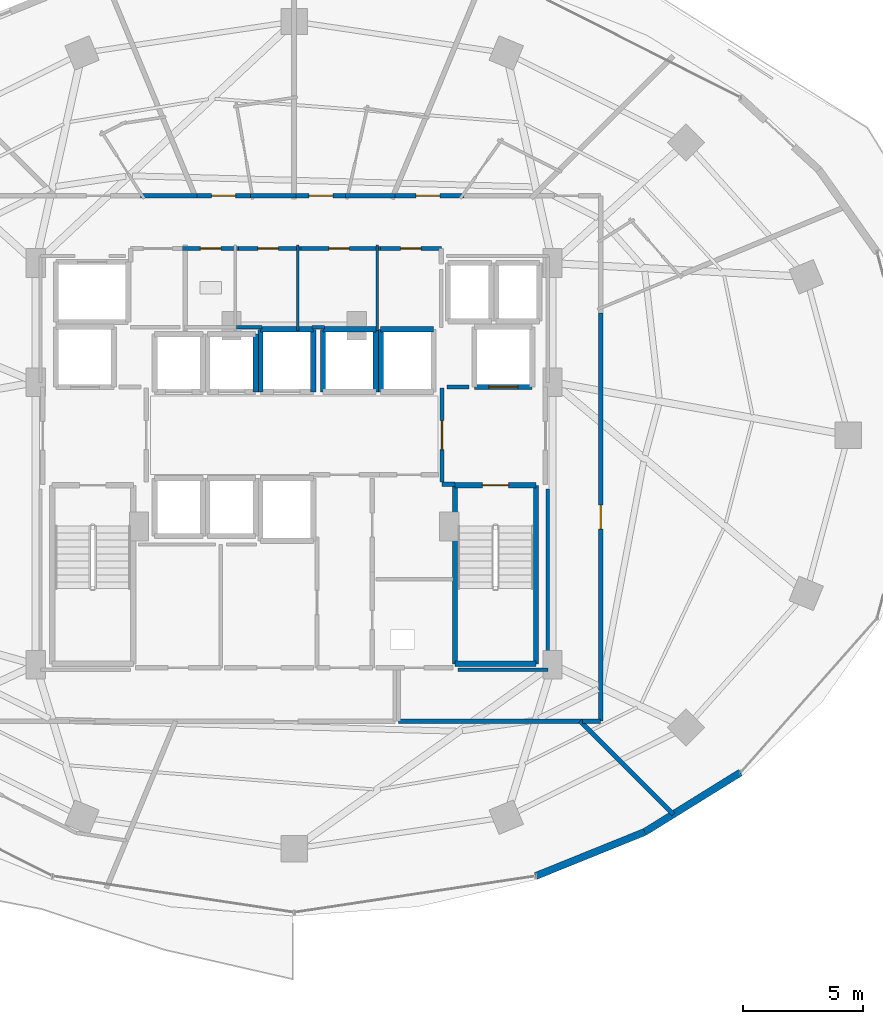
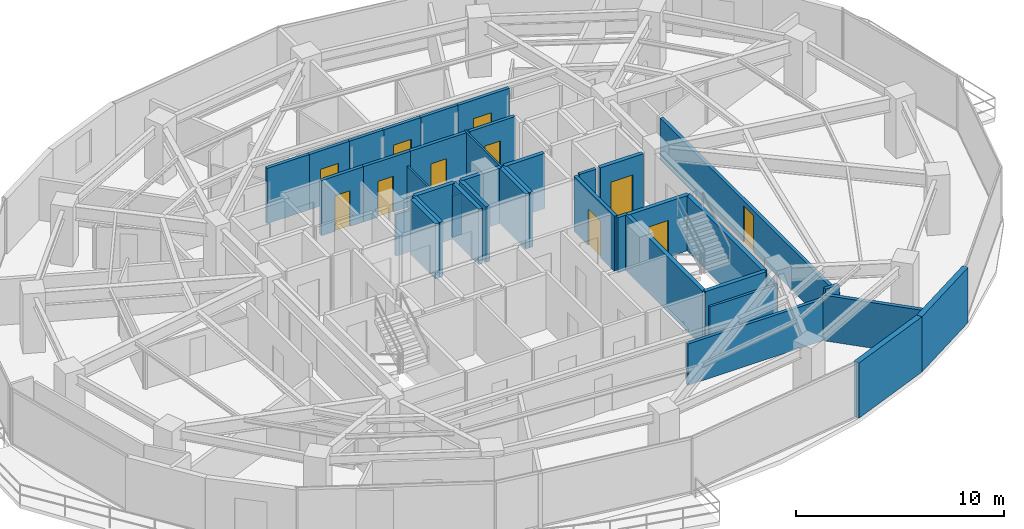
# One storey, part 26 of 31: 39 walls, 11 doors, 11 openings.
"""IFC4 building model written with IfcOpenShell, lengths in metres."""

import ifcopenshell
import ifcopenshell.guid

model = None  # the IFC model being written
_history = None  # IfcOwnerHistory: only IFC2X3 demands one
_inside = {}  # id of a spatial element -> (the spatial element, [elements in it])
_under = {}  # id of a project, library or spatial element -> (it, [spatial elements below it])
_declared = {}  # id of a project -> (the project, [libraries it declares])
_typed = {}  # id of a type object -> (the type object, [elements of that type])
_made_of = {}  # id of a material, layer set ... -> (it, [elements and type objects made of it])


def new_model(schema):
    """Start an empty IFC model of exactly this schema.

    Asked for "IFC4X3", IfcOpenShell would pick the latest addendum, in which some entities
    have other attributes; the version numbers below select the first issue.
    IFC2X3 requires an IfcOwnerHistory on every rooted entity: one is made here for all.
    """
    global model, _history
    if schema == "IFC4X3":
        model = ifcopenshell.file(schema_version=(4, 3, 0, 0))
    else:
        model = ifcopenshell.file(schema=schema)
    _inside.clear()
    _under.clear()
    _declared.clear()
    _typed.clear()
    _made_of.clear()
    _history = None
    if model.schema == "IFC2X3":
        org = make("IfcOrganization", Name="unknown")
        user = make(
            "IfcPersonAndOrganization",
            ThePerson=make("IfcPerson", FamilyName="unknown"),
            TheOrganization=org,
        )
        app = make(
            "IfcApplication",
            ApplicationDeveloper=org,
            Version="unknown",
            ApplicationFullName="unknown",
            ApplicationIdentifier="unknown",
        )
        _history = make(
            "IfcOwnerHistory",
            OwningUser=user,
            OwningApplication=app,
            ChangeAction="ADDED",
            CreationDate=0,
        )
    return model


def make(cls, **values):
    """One entity of the class cls with the attributes given. An attribute that is None is left unset."""
    return model.create_entity(
        cls, **{name: value for name, value in values.items() if value is not None}
    )


def rooted(cls, **values):
    """An entity with a GlobalId (a new one), such as an element, a storey or a relation."""
    return make(cls, GlobalId=ifcopenshell.guid.new(), OwnerHistory=_history, **values)


def si_unit(unit_type, name, prefix=None):
    """IfcSIUnit, for example si_unit("LENGTHUNIT", "METRE", prefix="MILLI")."""
    return make("IfcSIUnit", UnitType=unit_type, Prefix=prefix, Name=name)


def assignment(units):
    """IfcUnitAssignment: the units of a project."""
    return None if units is None else make("IfcUnitAssignment", Units=units)


def point(xyz):
    """IfcCartesianPoint."""
    return None if xyz is None else make("IfcCartesianPoint", Coordinates=xyz)


def direction(xyz):
    """IfcDirection."""
    return None if xyz is None else make("IfcDirection", DirectionRatios=xyz)


def frame(location, z_axis=None, x_axis=None):
    """IfcAxis2Placement3D, a coordinate frame: its origin and axes. An axis left out is left unset."""
    return make(
        "IfcAxis2Placement3D",
        Location=point(location),
        Axis=direction(z_axis),
        RefDirection=direction(x_axis),
    )


def frame_2d(location, x_axis=None):
    """IfcAxis2Placement2D, a coordinate frame in the plane: its origin and x axis."""
    return make(
        "IfcAxis2Placement2D", Location=point(location), RefDirection=direction(x_axis)
    )


def origin():
    """The frame at (0, 0, 0) with its axes left unset."""
    return frame((0.0, 0.0, 0.0))


def place(relative_to, where):
    """IfcLocalPlacement: puts the frame where relative to a parent placement (None: the world)."""
    return make(
        "IfcLocalPlacement", PlacementRelTo=relative_to, RelativePlacement=where
    )


def context(
    kind, dimensions, precision=None, world=None, true_north=None, identifier=None
):
    """IfcGeometricRepresentationContext, for example the 3D "Model" context."""
    return make(
        "IfcGeometricRepresentationContext",
        ContextIdentifier=identifier,
        ContextType=kind,
        CoordinateSpaceDimension=dimensions,
        Precision=precision,
        WorldCoordinateSystem=world,
        TrueNorth=true_north,
    )


def subcontext(parent, identifier, kind, view, scale=None):
    """IfcGeometricRepresentationSubContext, for example "Body" below "Model"."""
    return make(
        "IfcGeometricRepresentationSubContext",
        ContextIdentifier=identifier,
        ContextType=kind,
        ParentContext=parent,
        TargetScale=scale,
        TargetView=view,
    )


def project(units=None, contexts=None):
    """IfcProject with its units and contexts."""
    return rooted(
        "IfcProject",
        Name="project",
        RepresentationContexts=contexts,
        UnitsInContext=assignment(units),
    )


def spatial(cls, under=None, at=None, **own):
    """A site, building, storey or space (cls), placed at a placement, below another one or the project."""
    s = rooted(cls, ObjectPlacement=at, **own)
    if under is not None:
        _under.setdefault(under.id(), (under, []))[1].append(s)
    return s


def profile(cls, at=None, kind="AREA", **sizes):
    """A parametric profile (cls). Its sizes go by their IFC names, for example OverallWidth=200.0."""
    return make(cls, ProfileType=kind, Position=at, **sizes)


def rectangle(**sizes):
    """IfcRectangleProfileDef."""
    return profile("IfcRectangleProfileDef", **sizes)


def extrude(swept, where, along, depth):
    """IfcExtrudedAreaSolid: the profile swept, set in the frame where, extruded along a direction by depth."""
    return make(
        "IfcExtrudedAreaSolid",
        SweptArea=swept,
        Position=where,
        ExtrudedDirection=direction(along),
        Depth=depth,
    )


def shape(context_of_items, identifier, shape_type, items):
    """IfcShapeRepresentation: the items that make up one representation, for example the "Body"."""
    return make(
        "IfcShapeRepresentation",
        ContextOfItems=context_of_items,
        RepresentationIdentifier=identifier,
        RepresentationType=shape_type,
        Items=items,
    )


def material(Name=None, Category=None):
    """IfcMaterial."""
    return make("IfcMaterial", Name=Name, Category=Category)


def layer(
    of_material, thickness, ventilated=None, Name=None, Category=None, Priority=None
):
    """IfcMaterialLayer: one layer of a wall or slab, of a material (None: an air gap)."""
    return make(
        "IfcMaterialLayer",
        Material=of_material,
        LayerThickness=thickness,
        IsVentilated=ventilated,
        Name=Name,
        Category=Category,
        Priority=Priority,
    )


def layer_set(layers, Name=None):
    """IfcMaterialLayerSet."""
    return make("IfcMaterialLayerSet", MaterialLayers=layers, LayerSetName=Name)


def made_of(thing, what):
    """Note that an element or type object is made of a material, layer set ...; save() writes the relation."""
    if what is not None:
        _made_of.setdefault(what.id(), (what, []))[1].append(thing)
    return thing


def type_object(cls, material=None, **own):
    """A type object (cls), such as IfcWallType, which elements share."""
    return made_of(rooted(cls, **own), material)


def element(
    cls,
    number,
    at=None,
    inside=None,
    cuts=None,
    type_object=None,
    material=None,
    context=None,
    identifier="Body",
    shape_type=None,
    held_by="IfcProductDefinitionShape",
    body=None,
    shapes=None,
    **own,
):
    """One element of the class cls, such as IfcWall. Its Tag is "e" and its number.

    at: its placement. inside: the storey or other place that contains it. cuts: it is an
    opening in that element (IfcRelVoidsElement). A single representation is given by context,
    identifier, shape_type and body (its items); several are given by shapes. held_by: the class
    of the entity that holds the representations. save() writes the other relations.
    """
    e = rooted(cls, Tag="e%d" % number, ObjectPlacement=at, **own)
    if body is not None:
        shapes = [shape(context, identifier, shape_type, body)]
    if shapes is not None:
        e.Representation = make(held_by, Representations=shapes)
    if inside is not None:
        _inside.setdefault(inside.id(), (inside, []))[1].append(e)
    if cuts is not None:
        rooted(
            "IfcRelVoidsElement", RelatingBuildingElement=cuts, RelatedOpeningElement=e
        )
    if type_object is not None:
        _typed.setdefault(type_object.id(), (type_object, []))[1].append(e)
    return made_of(e, material)


def fill(opening, filler):
    """IfcRelFillsElement: the door or window that sits in an opening."""
    return rooted(
        "IfcRelFillsElement",
        RelatingOpeningElement=opening,
        RelatedBuildingElement=filler,
    )


def aggregate(whole, parts):
    """IfcRelAggregates: a whole, such as a stair, and the parts it consists of."""
    return rooted("IfcRelAggregates", RelatingObject=whole, RelatedObjects=parts)


def save(model, path):
    """Write the relations noted so far, then the file.

    IfcRelAggregates (storeys below a building ...), IfcRelContainedInSpatialStructure (elements
    in a storey), IfcRelDefinesByType, IfcRelAssociatesMaterial and IfcRelDeclares: one each for
    every whole, place, type object, material and project.
    """
    for whole, parts in _under.values():
        aggregate(whole, parts)
    for where, things in _inside.values():
        rooted(
            "IfcRelContainedInSpatialStructure",
            RelatedElements=things,
            RelatingStructure=where,
        )
    for kind, things in _typed.values():
        rooted("IfcRelDefinesByType", RelatedObjects=things, RelatingType=kind)
    for what, things in _made_of.values():
        rooted("IfcRelAssociatesMaterial", RelatedObjects=things, RelatingMaterial=what)
    for by, libraries in _declared.values():
        rooted("IfcRelDeclares", RelatingContext=by, RelatedDefinitions=libraries)
    model.write(path)


model = new_model("IFC4")

# Units and contexts
model_context = context("Model", 3, precision=1e-05, world=origin(), true_north=direction((0.0, 1.0)))
body_context = subcontext(model_context, "Body", "Model", "MODEL_VIEW")
ifc_project = project(units=[si_unit("LENGTHUNIT", "METRE"), si_unit("AREAUNIT", "SQUARE_METRE"), si_unit("VOLUMEUNIT", "CUBIC_METRE"), si_unit("PLANEANGLEUNIT", "RADIAN"), si_unit("MASSUNIT", "GRAM", prefix="KILO")], contexts=[model_context])

# Site, building, storey
site_placement = place(None, origin())
site = spatial("IfcSite", under=ifc_project, at=site_placement, CompositionType="ELEMENT")
building_placement = place(site_placement, origin())
building = spatial("IfcBuilding", under=site, at=building_placement, Name="Vorneva Point Tower", CompositionType="ELEMENT")
storey_placement = place(building_placement, frame((0.0, 0.0, 99.800048828125)))
storey = spatial("IfcBuildingStorey", under=building, at=storey_placement, Name="L26", CompositionType="ELEMENT", Elevation=99.800048828125)

# Wall, opening, door
ifc_material_1 = material(Name="Concrete B60 (C50/60)", Category="concrete")
ifc_layer_1 = layer(ifc_material_1, 0.5)
ifc_layer_set_1 = layer_set([ifc_layer_1], Name="Concrete B60 (C50/60)")
wall_type_1 = type_object("IfcWallType", Name="WL-CORE-500", PredefinedType="SHEAR", material=ifc_layer_set_1)
wall_1_placement = place(storey_placement, frame((45.5, 28.0, 0.0), z_axis=(0.0, 0.0, 1.0), x_axis=(1.0, 0.0, 0.0)))
wall_1 = element("IfcWall", 1, at=wall_1_placement, inside=storey, type_object=wall_type_1, Name="L26 Lift FFL2 Shaft Wall -Y", PredefinedType="SHEAR", context=body_context, shape_type="SweptSolid", body=[
    extrude(rectangle(XDim=2.39990234375, YDim=0.219970703125, at=frame_2d((1.199951171875, 0.0))), origin(), (0.0, 0.0, 1.0), 3.239990234375),
])
opening_1_placement = place(wall_1_placement, frame((0.60009765625, 0.0, 0.0)))
opening_1 = element("IfcOpeningElement", 2, at=opening_1_placement, cuts=wall_1, Name="Opening LD-02", PredefinedType="OPENING", context=body_context, shape_type="SweptSolid", body=[
    extrude(rectangle(XDim=1.199951171875, YDim=2.199951171875, at=frame_2d((0.60009765625, 1.10009765625))), frame((0.0, 0.125, 0.0), z_axis=(0.0, -1.0, 0.0), x_axis=(1.0, 0.0, 0.0)), (0.0, 0.0, 1.0), 0.249755859375),
])
ifc_material_2 = material(Name="Brushed stainless steel S304", Category="steel")
door_type_1 = type_object("IfcDoorType", Name="LD-FIRE-1200", OperationType="SLIDING_TO_LEFT", PredefinedType="DOOR", material=ifc_material_2)
door_1_placement = place(opening_1_placement, origin())
door_1 = element("IfcDoor", 3, at=door_1_placement, inside=storey, type_object=door_type_1, Name="L26 Lift FFL2 Sliding Landing Door", OperationType="SLIDING_TO_LEFT", OverallHeight=2.199951171875, OverallWidth=1.199951171875, PredefinedType="DOOR", context=body_context, shape_type="SweptSolid", body=[
    extrude(rectangle(XDim=1.199951171875, YDim=2.199951171875, at=frame_2d((0.60009765625, 1.10009765625))), frame((0.0, 0.02490234375, 0.0), z_axis=(0.0, -1.0, 0.0), x_axis=(1.0, 0.0, 0.0)), (0.0, 0.0, 1.0), 0.050048828125),
])
fill(opening_1, door_1)

# Walls
ifc_material_3 = material(Name="Precast concrete B50 (C40/50)", Category="concrete")
ifc_layer_2 = layer(ifc_material_3, 0.300048828125)
ifc_layer_set_2 = layer_set([ifc_layer_2], Name="Precast concrete B50 (C40/50)")
wall_type_2 = type_object("IfcWallType", Name="WL-EXT-300", PredefinedType="STANDARD", material=ifc_layer_set_2)
wall_2_placement = place(storey_placement, frame((48.04541015625, 7.660888671875, 0.0), z_axis=(0.0, 0.0, 1.0), x_axis=(0.927122233109, 0.374759075775, 0.0)))
element("IfcWall", 4, at=wall_2_placement, inside=storey, type_object=wall_type_2, Name="L26 Pale-Metal Facade Spandrel Wall 14.1", PredefinedType="STANDARD", context=body_context, shape_type="SweptSolid", body=[
    extrude(rectangle(XDim=4.89501953125, YDim=0.300048828125, at=frame_2d((2.447509765625, 0.0))), origin(), (0.0, 0.0, 1.0), 3.239990234375),
])
wall_3_placement = place(storey_placement, frame((52.583740234375, 9.495361328125, 0.0), z_axis=(0.0, 0.0, 1.0), x_axis=(0.849684479743, 0.527291461038, 0.0)))
element("IfcWall", 5, at=wall_3_placement, inside=storey, type_object=wall_type_2, Name="L26 Pale-Metal Facade Spandrel Wall 14.2", PredefinedType="STANDARD", context=body_context, shape_type="SweptSolid", body=[
    extrude(rectangle(XDim=4.681396484375, YDim=0.300048828125, at=frame_2d((2.3408203125, 0.0))), origin(), (0.0, 0.0, 1.0), 3.239990234375),
])
ifc_material_4 = material(Name="Fire-rated acoustic gypsum stud partition", Category="gypsum")
ifc_layer_3 = layer(ifc_material_4, 0.110107421875)
ifc_layer_set_3 = layer_set([ifc_layer_3], Name="Fire-rated acoustic gypsum stud partition")
wall_type_3 = type_object("IfcWallType", Name="WL-PART-110", PredefinedType="PARTITIONING", material=ifc_layer_set_3)
wall_4_placement = place(storey_placement, frame((38.14990234375, 30.340087890625, 0.0), z_axis=(0.0, 0.0, 1.0), x_axis=(0.0, 1.0, 0.0)))
element("IfcWall", 6, at=wall_4_placement, inside=storey, type_object=wall_type_3, Name="L26 Interior Partition 019", PredefinedType="PARTITIONING", context=body_context, shape_type="SweptSolid", body=[
    extrude(rectangle(XDim=3.559814453125, YDim=0.110107421875, at=frame_2d((1.77978515625, 0.0))), origin(), (0.0, 0.0, 1.0), 2.431884765625),
])
wall_5_placement = place(storey_placement, frame((41.449951171875, 30.340087890625, 0.0), z_axis=(0.0, 0.0, 1.0), x_axis=(0.0, 1.0, 0.0)))
element("IfcWall", 7, at=wall_5_placement, inside=storey, type_object=wall_type_3, Name="L26 Interior Partition 021", PredefinedType="PARTITIONING", context=body_context, shape_type="SweptSolid", body=[
    extrude(rectangle(XDim=3.559814453125, YDim=0.110107421875, at=frame_2d((1.77978515625, 0.0))), origin(), (0.0, 0.0, 1.0), 3.239990234375),
])
ifc_layer_4 = layer(ifc_material_4, 0.139892578125)
ifc_layer_set_4 = layer_set([ifc_layer_4], Name="Fire-rated acoustic gypsum stud partition")
wall_type_4 = type_object("IfcWallType", Name="WL-PART-140", PredefinedType="PARTITIONING", material=ifc_layer_set_4)
wall_6_placement = place(storey_placement, frame((35.60009765625, 30.47998046875, 0.0), z_axis=(0.0, 0.0, 1.0), x_axis=(1.0, 0.0, 0.0)))
element("IfcWall", 8, at=wall_6_placement, inside=storey, type_object=wall_type_4, Name="L26 Interior Closure Partition 099", PredefinedType="PARTITIONING", context=body_context, shape_type="SweptSolid", body=[
    extrude(rectangle(XDim=1.06494140625, YDim=0.139892578125, at=frame_2d((0.532470703125, 0.0))), origin(), (0.0, 0.0, 1.0), 2.431884765625),
])
wall_7_placement = place(storey_placement, frame((38.735107421875, 30.47998046875, 0.0), z_axis=(0.0, 0.0, 1.0), x_axis=(1.0, 0.0, 0.0)))
element("IfcWall", 9, at=wall_7_placement, inside=storey, type_object=wall_type_4, Name="L26 Interior Closure Partition 100", PredefinedType="PARTITIONING", context=body_context, shape_type="SweptSolid", body=[
    extrude(rectangle(XDim=0.52978515625, YDim=0.139892578125, at=frame_2d((0.264892578125, 0.0))), origin(), (0.0, 0.0, 1.0), 2.431884765625),
])
wall_8_placement = place(storey_placement, frame((48.550048828125, 23.75390625, 0.0), z_axis=(0.0, 0.0, 1.0), x_axis=(0.0, -1.0, 0.0)))
element("IfcWall", 10, at=wall_8_placement, inside=storey, type_object=wall_type_4, Name="L26 Interior Closure Partition 106", PredefinedType="PARTITIONING", context=body_context, shape_type="SweptSolid", body=[
    extrude(rectangle(XDim=7.513916015625, YDim=0.139892578125, at=frame_2d((3.7568359375, 0.0))), origin(), (0.0, 0.0, 1.0), 2.431884765625),
])
wall_9_placement = place(storey_placement, frame((48.550048828125, 16.239990234375, 0.0), z_axis=(0.0, 0.0, 1.0), x_axis=(-1.0, 0.0, 0.0)))
element("IfcWall", 11, at=wall_9_placement, inside=storey, type_object=wall_type_4, Name="L26 Interior Closure Partition 107", PredefinedType="PARTITIONING", context=body_context, shape_type="SweptSolid", body=[
    extrude(rectangle(XDim=3.7451171875, YDim=0.139892578125, at=frame_2d((1.87255859375, 0.0))), origin(), (0.0, 0.0, 1.0), 2.431884765625),
])

# Wall, opening, door
ifc_material_5 = material(Name="Autoclaved aerated concrete blockwork", Category="masonry")
ifc_layer_5 = layer(ifc_material_5, 0.179931640625)
ifc_layer_set_5 = layer_set([ifc_layer_5], Name="Autoclaved aerated concrete blockwork")
wall_type_5 = type_object("IfcWallType", Name="WL-PART-180", PredefinedType="PARTITIONING", material=ifc_layer_set_5)
wall_10_placement = place(storey_placement, frame((44.14990234375, 27.955078125, 0.0), z_axis=(0.0, 0.0, 1.0), x_axis=(0.0, -1.0, 0.0)))
wall_10 = element("IfcWall", 12, at=wall_10_placement, inside=storey, type_object=wall_type_5, Name="L26 Interior Partition 003", PredefinedType="PARTITIONING", context=body_context, shape_type="SweptSolid", body=[
    extrude(rectangle(XDim=3.91015625, YDim=0.179931640625, at=frame_2d((1.955078125, 0.0))), origin(), (0.0, 0.0, 1.0), 3.239990234375),
])
opening_2_placement = place(wall_10_placement, frame((1.35498046875, 0.0, 0.0)))
opening_2 = element("IfcOpeningElement", 13, at=opening_2_placement, cuts=wall_10, Name="Opening FD-02", PredefinedType="OPENING", context=body_context, shape_type="SweptSolid", body=[
    extrude(rectangle(XDim=1.199951171875, YDim=2.14990234375, at=frame_2d((0.60009765625, 1.074951171875))), frame((0.0, 0.10498046875, 0.0), z_axis=(0.0, -1.0, 0.0), x_axis=(1.0, 0.0, 0.0)), (0.0, 0.0, 1.0), 0.209716796875),
])
ifc_material_6 = material(Name="Fire-rated powder-coated steel", Category="steel")
door_type_2 = type_object("IfcDoorType", Name="DR-FFL-1200", OperationType="NOTDEFINED", PredefinedType="DOOR", material=ifc_material_6)
door_2_placement = place(opening_2_placement, origin())
door_2 = element("IfcDoor", 14, at=door_2_placement, inside=storey, type_object=door_type_2, Name="L26 Door East Firefighting Lobby / Central Lift Lobby", OperationType="SINGLE_SWING_LEFT", OverallHeight=2.14990234375, OverallWidth=1.199951171875, PredefinedType="DOOR", context=body_context, shape_type="SweptSolid", body=[
    extrude(rectangle(XDim=1.199951171875, YDim=2.14990234375, at=frame_2d((0.60009765625, 1.074951171875))), frame((0.0, 0.02490234375, 0.0), z_axis=(0.0, -1.0, 0.0), x_axis=(1.0, 0.0, 0.0)), (0.0, 0.0, 1.0), 0.050048828125),
])
fill(opening_2, door_2)

# Wall
wall_11_placement = place(storey_placement, frame((44.14990234375, 23.949951171875, 0.0), z_axis=(0.0, 0.0, 1.0), x_axis=(1.0, 0.0, 0.0)))
element("IfcWall", 15, at=wall_11_placement, inside=storey, type_object=wall_type_5, Name="L26 Interior Partition 004", PredefinedType="PARTITIONING", context=body_context, shape_type="SweptSolid", body=[
    extrude(rectangle(XDim=0.5400390625, YDim=0.179931640625, at=frame_2d((0.27001953125, 0.0))), origin(), (0.0, 0.0, 1.0), 3.239990234375),
])

# Wall, opening, door
wall_12_placement = place(storey_placement, frame((35.68994140625, 33.760009765625, 0.0), z_axis=(0.0, 0.0, 1.0), x_axis=(-1.0, 0.0, 0.0)))
wall_12 = element("IfcWall", 16, at=wall_12_placement, inside=storey, type_object=wall_type_5, Name="L26 Interior Partition 018", PredefinedType="PARTITIONING", context=body_context, shape_type="SweptSolid", body=[
    extrude(rectangle(XDim=2.329833984375, YDim=0.179931640625, at=frame_2d((1.1650390625, 0.0))), origin(), (0.0, 0.0, 1.0), 3.239990234375),
])
opening_3_placement = place(wall_12_placement, frame((0.739990234375, 0.0, 0.0)))
opening_3 = element("IfcOpeningElement", 17, at=opening_3_placement, cuts=wall_12, Name="Opening ID-02", PredefinedType="OPENING", context=body_context, shape_type="SweptSolid", body=[
    extrude(rectangle(XDim=0.85009765625, YDim=2.10009765625, at=frame_2d((0.425048828125, 1.050048828125))), frame((0.0, 0.10498046875, 0.0), z_axis=(0.0, -1.0, 0.0), x_axis=(1.0, 0.0, 0.0)), (0.0, 0.0, 1.0), 0.209716796875),
])
ifc_material_7 = material(Name="Engineered oak fire-rated door leaf", Category="wood")
door_type_3 = type_object("IfcDoorType", Name="DR-BATH-850", OperationType="NOTDEFINED", PredefinedType="DOOR", material=ifc_material_7)
door_3_placement = place(opening_3_placement, origin())
door_3 = element("IfcDoor", 18, at=door_3_placement, inside=storey, type_object=door_type_3, Name="L26 Door Accessible WC / L26 Circulation Corridor", OperationType="SINGLE_SWING_LEFT", OverallHeight=2.10009765625, OverallWidth=0.85009765625, PredefinedType="DOOR", context=body_context, shape_type="SweptSolid", body=[
    extrude(rectangle(XDim=0.85009765625, YDim=2.10009765625, at=frame_2d((0.425048828125, 1.050048828125))), frame((0.0, 0.02490234375, 0.0), z_axis=(0.0, -1.0, 0.0), x_axis=(1.0, 0.0, 0.0)), (0.0, 0.0, 1.0), 0.050048828125),
])
fill(opening_3, door_3)

wall_13_placement = place(storey_placement, frame((38.2900390625, 33.760009765625, 0.0), z_axis=(0.0, 0.0, 1.0), x_axis=(-1.0, 0.0, 0.0)))
wall_13 = element("IfcWall", 19, at=wall_13_placement, inside=storey, type_object=wall_type_5, Name="L26 Interior Partition 020", PredefinedType="PARTITIONING", context=body_context, shape_type="SweptSolid", body=[
    extrude(rectangle(XDim=2.739990234375, YDim=0.179931640625, at=frame_2d((1.3701171875, 0.0))), origin(), (0.0, 0.0, 1.0), 3.239990234375),
])
opening_4_placement = place(wall_13_placement, frame((0.945068359375, 0.0, 0.0)))
opening_4 = element("IfcOpeningElement", 20, at=opening_4_placement, cuts=wall_13, Name="Opening ID-02", PredefinedType="OPENING", context=body_context, shape_type="SweptSolid", body=[
    extrude(rectangle(XDim=0.85009765625, YDim=2.10009765625, at=frame_2d((0.425048828125, 1.050048828125))), frame((0.0, 0.10498046875, 0.0), z_axis=(0.0, -1.0, 0.0), x_axis=(1.0, 0.0, 0.0)), (0.0, 0.0, 1.0), 0.209716796875),
])
door_4_placement = place(opening_4_placement, origin())
door_4 = element("IfcDoor", 21, at=door_4_placement, inside=storey, type_object=door_type_3, Name="L26 Door Public Male WC / L26 Circulation Corridor", OperationType="SINGLE_SWING_RIGHT", OverallHeight=2.10009765625, OverallWidth=0.85009765625, PredefinedType="DOOR", context=body_context, shape_type="SweptSolid", body=[
    extrude(rectangle(XDim=0.85009765625, YDim=2.10009765625, at=frame_2d((0.425048828125, 1.050048828125))), frame((0.0, 0.02490234375, 0.0), z_axis=(0.0, -1.0, 0.0), x_axis=(1.0, 0.0, 0.0)), (0.0, 0.0, 1.0), 0.050048828125),
])
fill(opening_4, door_4)

wall_14_placement = place(storey_placement, frame((41.590087890625, 33.760009765625, 0.0), z_axis=(0.0, 0.0, 1.0), x_axis=(-1.0, 0.0, 0.0)))
wall_14 = element("IfcWall", 22, at=wall_14_placement, inside=storey, type_object=wall_type_5, Name="L26 Interior Partition 022", PredefinedType="PARTITIONING", context=body_context, shape_type="SweptSolid", body=[
    extrude(rectangle(XDim=3.440185546875, YDim=0.179931640625, at=frame_2d((1.72021484375, 0.0))), origin(), (0.0, 0.0, 1.0), 3.239990234375),
])
opening_5_placement = place(wall_14_placement, frame((1.294921875, 0.0, 0.0)))
opening_5 = element("IfcOpeningElement", 23, at=opening_5_placement, cuts=wall_14, Name="Opening ID-02", PredefinedType="OPENING", context=body_context, shape_type="SweptSolid", body=[
    extrude(rectangle(XDim=0.85009765625, YDim=2.10009765625, at=frame_2d((0.425048828125, 1.050048828125))), frame((0.0, 0.10498046875, 0.0), z_axis=(0.0, -1.0, 0.0), x_axis=(1.0, 0.0, 0.0)), (0.0, 0.0, 1.0), 0.209716796875),
])
door_5_placement = place(opening_5_placement, origin())
door_5 = element("IfcDoor", 24, at=door_5_placement, inside=storey, type_object=door_type_3, Name="L26 Door Public Female WC / L26 Circulation Corridor", OperationType="SINGLE_SWING_LEFT", OverallHeight=2.10009765625, OverallWidth=0.85009765625, PredefinedType="DOOR", context=body_context, shape_type="SweptSolid", body=[
    extrude(rectangle(XDim=0.85009765625, YDim=2.10009765625, at=frame_2d((0.425048828125, 1.050048828125))), frame((0.0, 0.02490234375, 0.0), z_axis=(0.0, -1.0, 0.0), x_axis=(1.0, 0.0, 0.0)), (0.0, 0.0, 1.0), 0.050048828125),
])
fill(opening_5, door_5)

wall_15_placement = place(storey_placement, frame((44.1201171875, 33.760009765625, 0.0), z_axis=(0.0, 0.0, 1.0), x_axis=(-1.0, 0.0, 0.0)))
wall_15 = element("IfcWall", 25, at=wall_15_placement, inside=storey, type_object=wall_type_5, Name="L26 Interior Partition 023", PredefinedType="PARTITIONING", context=body_context, shape_type="SweptSolid", body=[
    extrude(rectangle(XDim=2.530029296875, YDim=0.179931640625, at=frame_2d((1.26513671875, 0.0))), origin(), (0.0, 0.0, 1.0), 3.239990234375),
])
opening_6_placement = place(wall_15_placement, frame((0.840087890625, 0.0, 0.0)))
opening_6 = element("IfcOpeningElement", 26, at=opening_6_placement, cuts=wall_15, Name="Opening ID-02", PredefinedType="OPENING", context=body_context, shape_type="SweptSolid", body=[
    extrude(rectangle(XDim=0.85009765625, YDim=2.10009765625, at=frame_2d((0.425048828125, 1.050048828125))), frame((0.0, 0.10498046875, 0.0), z_axis=(0.0, -1.0, 0.0), x_axis=(1.0, 0.0, 0.0)), (0.0, 0.0, 1.0), 0.209716796875),
])
door_6_placement = place(opening_6_placement, origin())
door_6 = element("IfcDoor", 27, at=door_6_placement, inside=storey, type_object=door_type_3, Name="L26 Door Cleaners Store / L26 Circulation Corridor", OperationType="SINGLE_SWING_RIGHT", OverallHeight=2.10009765625, OverallWidth=0.85009765625, PredefinedType="DOOR", context=body_context, shape_type="SweptSolid", body=[
    extrude(rectangle(XDim=0.85009765625, YDim=2.10009765625, at=frame_2d((0.425048828125, 1.050048828125))), frame((0.0, 0.02490234375, 0.0), z_axis=(0.0, -1.0, 0.0), x_axis=(1.0, 0.0, 0.0)), (0.0, 0.0, 1.0), 0.050048828125),
])
fill(opening_6, door_6)

wall_16_placement = place(storey_placement, frame((45.06591796875, 35.949951171875, 0.0), z_axis=(0.0, 0.0, 1.0), x_axis=(-1.0, 0.0, 0.0)))
wall_16 = element("IfcWall", 28, at=wall_16_placement, inside=storey, type_object=wall_type_5, Name="L26 Interior Partition 031", PredefinedType="PARTITIONING", context=body_context, shape_type="SweptSolid", body=[
    extrude(rectangle(XDim=3.0048828125, YDim=0.179931640625, at=frame_2d((1.50244140625, 0.0))), origin(), (0.0, 0.0, 1.0), 3.239990234375),
])
opening_7_placement = place(wall_16_placement, frame((1.00244140625, 0.0, 0.0)))
opening_7 = element("IfcOpeningElement", 29, at=opening_7_placement, cuts=wall_16, Name="Opening UD-01", PredefinedType="OPENING", context=body_context, shape_type="SweptSolid", body=[
    extrude(rectangle(XDim=1.0, YDim=2.14990234375, at=frame_2d((0.5, 1.074951171875))), frame((0.0, 0.10498046875, 0.0), z_axis=(0.0, -1.0, 0.0), x_axis=(1.0, 0.0, 0.0)), (0.0, 0.0, 1.0), 0.209716796875),
])
door_type_4 = type_object("IfcDoorType", Name="DR-UNIT-1000", OperationType="NOTDEFINED", PredefinedType="DOOR", material=ifc_material_7)
door_7_placement = place(opening_7_placement, origin())
door_7 = element("IfcDoor", 30, at=door_7_placement, inside=storey, type_object=door_type_4, Name="L26 Door L26 Circulation Corridor / Twin Guest Room L26-02", OperationType="SINGLE_SWING_RIGHT", OverallHeight=2.14990234375, OverallWidth=1.0, PredefinedType="DOOR", context=body_context, shape_type="SweptSolid", body=[
    extrude(rectangle(XDim=1.0, YDim=2.14990234375, at=frame_2d((0.5, 1.074951171875))), frame((0.0, 0.02490234375, 0.0), z_axis=(0.0, -1.0, 0.0), x_axis=(1.0, 0.0, 0.0)), (0.0, 0.0, 1.0), 0.050048828125),
])
fill(opening_7, door_7)

wall_17_placement = place(storey_placement, frame((40.284912109375, 35.949951171875, 0.0), z_axis=(0.0, 0.0, 1.0), x_axis=(-1.0, 0.0, 0.0)))
wall_17 = element("IfcWall", 31, at=wall_17_placement, inside=storey, type_object=wall_type_5, Name="L26 Interior Partition 033", PredefinedType="PARTITIONING", context=body_context, shape_type="SweptSolid", body=[
    extrude(rectangle(XDim=2.344970703125, YDim=0.179931640625, at=frame_2d((1.17236328125, 0.0))), origin(), (0.0, 0.0, 1.0), 3.239990234375),
])
opening_8_placement = place(wall_17_placement, frame((0.672607421875, 0.0, 0.0)))
opening_8 = element("IfcOpeningElement", 32, at=opening_8_placement, cuts=wall_17, Name="Opening UD-01", PredefinedType="OPENING", context=body_context, shape_type="SweptSolid", body=[
    extrude(rectangle(XDim=1.0, YDim=2.14990234375, at=frame_2d((0.5, 1.074951171875))), frame((0.0, 0.10498046875, 0.0), z_axis=(0.0, -1.0, 0.0), x_axis=(1.0, 0.0, 0.0)), (0.0, 0.0, 1.0), 0.209716796875),
])
door_8_placement = place(opening_8_placement, origin())
door_8 = element("IfcDoor", 33, at=door_8_placement, inside=storey, type_object=door_type_4, Name="L26 Door L26 Circulation Corridor / Deluxe Guest Room L26-03", OperationType="SINGLE_SWING_LEFT", OverallHeight=2.14990234375, OverallWidth=1.0, PredefinedType="DOOR", context=body_context, shape_type="SweptSolid", body=[
    extrude(rectangle(XDim=1.0, YDim=2.14990234375, at=frame_2d((0.5, 1.074951171875))), frame((0.0, 0.02490234375, 0.0), z_axis=(0.0, -1.0, 0.0), x_axis=(1.0, 0.0, 0.0)), (0.0, 0.0, 1.0), 0.050048828125),
])
fill(opening_8, door_8)

# Wall
wall_18_placement = place(storey_placement, frame((42.200927734375, 35.949951171875, 0.0), z_axis=(0.0, 0.0, 1.0), x_axis=(-1.0, 0.0, 0.0)))
element("IfcWall", 34, at=wall_18_placement, inside=storey, type_object=wall_type_5, Name="L26 Interior Partition 034", PredefinedType="PARTITIONING", context=body_context, shape_type="SweptSolid", body=[
    extrude(rectangle(XDim=2.055908203125, YDim=0.179931640625, at=frame_2d((1.02783203125, 0.0))), origin(), (0.0, 0.0, 1.0), 3.239990234375),
])

# Wall, opening, door
wall_19_placement = place(storey_placement, frame((36.322998046875, 35.949951171875, 0.0), z_axis=(0.0, 0.0, 1.0), x_axis=(-1.0, 0.0, 0.0)))
wall_19 = element("IfcWall", 35, at=wall_19_placement, inside=storey, type_object=wall_type_5, Name="L26 Interior Partition 035", PredefinedType="PARTITIONING", context=body_context, shape_type="SweptSolid", body=[
    extrude(rectangle(XDim=2.509033203125, YDim=0.179931640625, at=frame_2d((1.25439453125, 0.0))), origin(), (0.0, 0.0, 1.0), 3.239990234375),
])
opening_9_placement = place(wall_19_placement, frame((0.75439453125, 0.0, 0.0)))
opening_9 = element("IfcOpeningElement", 36, at=opening_9_placement, cuts=wall_19, Name="Opening UD-01", PredefinedType="OPENING", context=body_context, shape_type="SweptSolid", body=[
    extrude(rectangle(XDim=1.0, YDim=2.14990234375, at=frame_2d((0.5, 1.074951171875))), frame((0.0, 0.10498046875, 0.0), z_axis=(0.0, -1.0, 0.0), x_axis=(1.0, 0.0, 0.0)), (0.0, 0.0, 1.0), 0.209716796875),
])
door_9_placement = place(opening_9_placement, origin())
door_9 = element("IfcDoor", 37, at=door_9_placement, inside=storey, type_object=door_type_4, Name="L26 Door L26 Circulation Corridor / King Guest Room L26-04", OperationType="SINGLE_SWING_RIGHT", OverallHeight=2.14990234375, OverallWidth=1.0, PredefinedType="DOOR", context=body_context, shape_type="SweptSolid", body=[
    extrude(rectangle(XDim=1.0, YDim=2.14990234375, at=frame_2d((0.5, 1.074951171875))), frame((0.0, 0.02490234375, 0.0), z_axis=(0.0, -1.0, 0.0), x_axis=(1.0, 0.0, 0.0)), (0.0, 0.0, 1.0), 0.050048828125),
])
fill(opening_9, door_9)

# Walls
wall_20_placement = place(storey_placement, frame((38.080078125, 35.949951171875, 0.0), z_axis=(0.0, 0.0, 1.0), x_axis=(-1.0, 0.0, 0.0)))
element("IfcWall", 38, at=wall_20_placement, inside=storey, type_object=wall_type_5, Name="L26 Interior Partition 036", PredefinedType="PARTITIONING", context=body_context, shape_type="SweptSolid", body=[
    extrude(rectangle(XDim=1.89697265625, YDim=0.179931640625, at=frame_2d((0.948486328125, 0.0))), origin(), (0.0, 0.0, 1.0), 3.239990234375),
])
wall_21_placement = place(storey_placement, frame((33.9541015625, 35.949951171875, 0.0), z_axis=(0.0, 0.0, 1.0), x_axis=(-1.0, 0.0, 0.0)))
element("IfcWall", 39, at=wall_21_placement, inside=storey, type_object=wall_type_5, Name="L26 Interior Partition 038", PredefinedType="PARTITIONING", context=body_context, shape_type="SweptSolid", body=[
    extrude(rectangle(XDim=2.34814453125, YDim=0.179931640625, at=frame_2d((1.174072265625, 0.0))), origin(), (0.0, 0.0, 1.0), 3.239990234375),
])
wall_22_placement = place(storey_placement, frame((42.340087890625, 14.10009765625, 0.0), z_axis=(0.0, 0.0, 1.0), x_axis=(1.0, 0.0, 0.0)))
element("IfcWall", 40, at=wall_22_placement, inside=storey, type_object=wall_type_5, Name="L26 Interior Partition 048", PredefinedType="PARTITIONING", context=body_context, shape_type="SweptSolid", body=[
    extrude(rectangle(XDim=7.64501953125, YDim=0.179931640625, at=frame_2d((3.822509765625, 0.0))), origin(), (0.0, 0.0, 1.0), 2.431884765625),
])
wall_23_placement = place(storey_placement, frame((49.985107421875, 14.10009765625, 0.0), z_axis=(0.0, 0.0, 1.0), x_axis=(1.0, 0.0, 0.0)))
element("IfcWall", 41, at=wall_23_placement, inside=storey, type_object=wall_type_5, Name="L26 Interior Partition 051", PredefinedType="PARTITIONING", context=body_context, shape_type="SweptSolid", body=[
    extrude(rectangle(XDim=0.764892578125, YDim=0.179931640625, at=frame_2d((0.38232421875, 0.0))), origin(), (0.0, 0.0, 1.0), 2.971923828125),
])

# Wall, opening, door
wall_24_placement = place(storey_placement, frame((50.75, 14.10009765625, 0.0), z_axis=(0.0, 0.0, 1.0), x_axis=(0.0, 1.0, 0.0)))
wall_24 = element("IfcWall", 42, at=wall_24_placement, inside=storey, type_object=wall_type_5, Name="L26 Interior Partition 052", PredefinedType="PARTITIONING", context=body_context, shape_type="SweptSolid", body=[
    extrude(rectangle(XDim=16.98095703125, YDim=0.179931640625, at=frame_2d((8.490478515625, 0.0))), origin(), (0.0, 0.0, 1.0), 2.431884765625),
])
opening_10_placement = place(wall_24_placement, frame((7.990478515625, 0.0, 0.0)))
opening_10 = element("IfcOpeningElement", 43, at=opening_10_placement, cuts=wall_24, Name="Opening UD-01", PredefinedType="OPENING", context=body_context, shape_type="SweptSolid", body=[
    extrude(rectangle(XDim=1.0, YDim=2.14990234375, at=frame_2d((0.5, 1.074951171875))), frame((0.0, 0.10498046875, 0.0), z_axis=(0.0, -1.0, 0.0), x_axis=(1.0, 0.0, 0.0)), (0.0, 0.0, 1.0), 0.209716796875),
])
door_10_placement = place(opening_10_placement, origin())
door_10 = element("IfcDoor", 44, at=door_10_placement, inside=storey, type_object=door_type_4, Name="L26 Door L26 Circulation Corridor / Executive Meeting Room L26-10", OperationType="SINGLE_SWING_RIGHT", OverallHeight=2.14990234375, OverallWidth=1.0, PredefinedType="DOOR", context=body_context, shape_type="SweptSolid", body=[
    extrude(rectangle(XDim=1.0, YDim=2.14990234375, at=frame_2d((0.5, 1.074951171875))), frame((0.0, 0.02490234375, 0.0), z_axis=(0.0, -1.0, 0.0), x_axis=(1.0, 0.0, 0.0)), (0.0, 0.0, 1.0), 0.050048828125),
])
fill(opening_10, door_10)

# Walls
wall_25_placement = place(storey_placement, frame((45.280029296875, 28.0, 0.0), z_axis=(0.0, 0.0, 1.0), x_axis=(-1.0, 0.0, 0.0)))
element("IfcWall", 45, at=wall_25_placement, inside=storey, type_object=wall_type_5, Name="L26 Interior Closure Partition 096", PredefinedType="PARTITIONING", context=body_context, shape_type="SweptSolid", body=[
    extrude(rectangle(XDim=0.9150390625, YDim=0.179931640625, at=frame_2d((0.45751953125, 0.0))), origin(), (0.0, 0.0, 1.0), 3.239990234375),
])
ifc_layer_6 = layer(ifc_material_5, 0.199951171875)
ifc_layer_set_6 = layer_set([ifc_layer_6], Name="Autoclaved aerated concrete blockwork")
wall_type_6 = type_object("IfcWallType", Name="WL-PART-200", PredefinedType="PARTITIONING", material=ifc_layer_set_6)
wall_26_placement = place(storey_placement, frame((53.76806640625, 10.23193359375, 0.0), z_axis=(0.0, 0.0, 1.0), x_axis=(-0.707106781187, 0.707106781187, 0.0)))
element("IfcWall", 46, at=wall_26_placement, inside=storey, type_object=wall_type_6, Name="L26 Interior Partition 094", PredefinedType="PARTITIONING", context=body_context, shape_type="SweptSolid", body=[
    extrude(rectangle(XDim=5.470458984375, YDim=0.199951171875, at=frame_2d((2.7353515625, 0.0))), origin(), (0.0, 0.0, 1.0), 2.677001953125),
])

# Wall, opening, door
ifc_material_8 = material(Name="Concrete B50 (C40/50)", Category="concrete")
ifc_layer_7 = layer(ifc_material_8, 0.219970703125)
ifc_layer_set_7 = layer_set([ifc_layer_7], Name="Concrete B50 (C40/50)")
wall_type_7 = type_object("IfcWallType", Name="WL-SHFT-220", PredefinedType="SOLIDWALL", material=ifc_layer_set_7)
wall_27_placement = place(storey_placement, frame((44.68994140625, 23.909912109375, 0.0), z_axis=(0.0, 0.0, 1.0), x_axis=(1.0, 0.0, 0.0)))
wall_27 = element("IfcWall", 47, at=wall_27_placement, inside=storey, type_object=wall_type_7, Name="L26 Exit Stair ST2 Shaft Wall near", PredefinedType="SOLIDWALL", context=body_context, shape_type="SweptSolid", body=[
    extrude(rectangle(XDim=3.3701171875, YDim=0.219970703125, at=frame_2d((1.68505859375, 0.0))), origin(), (0.0, 0.0, 1.0), 3.239990234375),
])
opening_11_placement = place(wall_27_placement, frame((1.135009765625, 0.0, 0.0)))
opening_11 = element("IfcOpeningElement", 48, at=opening_11_placement, cuts=wall_27, Name="Opening FD-01", PredefinedType="OPENING", context=body_context, shape_type="SweptSolid", body=[
    extrude(rectangle(XDim=1.10009765625, YDim=2.14990234375, at=frame_2d((0.550048828125, 1.074951171875))), frame((0.0, 0.125, 0.0), z_axis=(0.0, -1.0, 0.0), x_axis=(1.0, 0.0, 0.0)), (0.0, 0.0, 1.0), 0.249755859375),
])
door_type_5 = type_object("IfcDoorType", Name="DR-STAIR-1100", OperationType="NOTDEFINED", PredefinedType="DOOR", material=ifc_material_6)
door_11_placement = place(opening_11_placement, origin())
door_11 = element("IfcDoor", 49, at=door_11_placement, inside=storey, type_object=door_type_5, Name="L26 Exit Stair ST2 Fire Door", OperationType="SINGLE_SWING_LEFT", OverallHeight=2.14990234375, OverallWidth=1.10009765625, PredefinedType="DOOR", context=body_context, shape_type="SweptSolid", body=[
    extrude(rectangle(XDim=1.10009765625, YDim=2.14990234375, at=frame_2d((0.550048828125, 1.074951171875))), frame((0.0, 0.02490234375, 0.0), z_axis=(0.0, -1.0, 0.0), x_axis=(1.0, 0.0, 0.0)), (0.0, 0.0, 1.0), 0.050048828125),
])
fill(opening_11, door_11)

# Walls
wall_28_placement = place(storey_placement, frame((48.06005859375, 23.909912109375, 0.0), z_axis=(0.0, 0.0, 1.0), x_axis=(0.0, -1.0, 0.0)))
element("IfcWall", 50, at=wall_28_placement, inside=storey, type_object=wall_type_7, Name="L26 Exit Stair ST2 Shaft Wall right", PredefinedType="SOLIDWALL", context=body_context, shape_type="SweptSolid", body=[
    extrude(rectangle(XDim=7.419921875, YDim=0.219970703125, at=frame_2d((3.7099609375, 0.0))), origin(), (0.0, 0.0, 1.0), 3.239990234375),
])
wall_29_placement = place(storey_placement, frame((48.06005859375, 16.489990234375, 0.0), z_axis=(0.0, 0.0, 1.0), x_axis=(-1.0, 0.0, 0.0)))
element("IfcWall", 51, at=wall_29_placement, inside=storey, type_object=wall_type_7, Name="L26 Exit Stair ST2 Shaft Wall far", PredefinedType="SOLIDWALL", context=body_context, shape_type="SweptSolid", body=[
    extrude(rectangle(XDim=3.3701171875, YDim=0.219970703125, at=frame_2d((1.68505859375, 0.0))), origin(), (0.0, 0.0, 1.0), 3.239990234375),
])
wall_30_placement = place(storey_placement, frame((44.68994140625, 16.489990234375, 0.0), z_axis=(0.0, 0.0, 1.0), x_axis=(0.0, 1.0, 0.0)))
element("IfcWall", 52, at=wall_30_placement, inside=storey, type_object=wall_type_7, Name="L26 Exit Stair ST2 Shaft Wall left", PredefinedType="SOLIDWALL", context=body_context, shape_type="SweptSolid", body=[
    extrude(rectangle(XDim=7.419921875, YDim=0.219970703125, at=frame_2d((3.7099609375, 0.0))), origin(), (0.0, 0.0, 1.0), 3.239990234375),
])
wall_31_placement = place(storey_placement, frame((36.39990234375, 27.800048828125, 0.0), z_axis=(0.0, 0.0, 1.0), x_axis=(0.0, 1.0, 0.0)))
element("IfcWall", 53, at=wall_31_placement, inside=storey, type_object=wall_type_7, Name="L26 Lift PL2 Shaft Wall +X", PredefinedType="SOLIDWALL", context=body_context, shape_type="SweptSolid", body=[
    extrude(rectangle(XDim=2.39990234375, YDim=0.219970703125, at=frame_2d((1.199951171875, 0.0))), origin(), (0.0, 0.0, 1.0), 3.239990234375),
])
wall_32_placement = place(storey_placement, frame((38.800048828125, 27.800048828125, 0.0), z_axis=(0.0, 0.0, 1.0), x_axis=(0.0, 1.0, 0.0)))
element("IfcWall", 54, at=wall_32_placement, inside=storey, type_object=wall_type_7, Name="L26 Lift PL3 Shaft Wall +X", PredefinedType="SOLIDWALL", context=body_context, shape_type="SweptSolid", body=[
    extrude(rectangle(XDim=2.599853515625, YDim=0.219970703125, at=frame_2d((1.2998046875, 0.0))), origin(), (0.0, 0.0, 1.0), 3.239990234375),
])
wall_33_placement = place(storey_placement, frame((38.800048828125, 30.39990234375, 0.0), z_axis=(0.0, 0.0, 1.0), x_axis=(-1.0, 0.0, 0.0)))
element("IfcWall", 55, at=wall_33_placement, inside=storey, type_object=wall_type_7, Name="L26 Lift PL3 Shaft Wall +Y", PredefinedType="SOLIDWALL", context=body_context, shape_type="SweptSolid", body=[
    extrude(rectangle(XDim=2.199951171875, YDim=0.219970703125, at=frame_2d((1.10009765625, 0.0))), origin(), (0.0, 0.0, 1.0), 3.239990234375),
])
for number, where, z_axis, x_axis, name in (
    (56, (36.60009765625, 30.39990234375, 0.0), (0.0, 0.0, 1.0), (0.0, -1.0, 0.0), "L26 Lift PL3 Shaft Wall -X"),
    (57, (41.39990234375, 27.800048828125, 0.0), (0.0, 0.0, 1.0), (0.0, 1.0, 0.0), "L26 Lift PL7 Shaft Wall +X"),
):
    element("IfcWall", number, at=place(storey_placement, frame(where, z_axis=z_axis, x_axis=x_axis)), inside=storey, type_object=wall_type_7, Name=name, PredefinedType="SOLIDWALL", context=body_context, shape_type="SweptSolid", body=[
        extrude(rectangle(XDim=2.599853515625, YDim=0.219970703125, at=frame_2d((1.2998046875, 0.0))), origin(), (0.0, 0.0, 1.0), 3.239990234375),
    ])
wall_34_placement = place(storey_placement, frame((41.39990234375, 30.39990234375, 0.0), z_axis=(0.0, 0.0, 1.0), x_axis=(-1.0, 0.0, 0.0)))
element("IfcWall", 58, at=wall_34_placement, inside=storey, type_object=wall_type_7, Name="L26 Lift PL7 Shaft Wall +Y", PredefinedType="SOLIDWALL", context=body_context, shape_type="SweptSolid", body=[
    extrude(rectangle(XDim=2.199951171875, YDim=0.219970703125, at=frame_2d((1.10009765625, 0.0))), origin(), (0.0, 0.0, 1.0), 3.239990234375),
])
wall_35_placement = place(storey_placement, frame((39.199951171875, 30.39990234375, 0.0), z_axis=(0.0, 0.0, 1.0), x_axis=(0.0, -1.0, 0.0)))
element("IfcWall", 59, at=wall_35_placement, inside=storey, type_object=wall_type_7, Name="L26 Lift PL7 Shaft Wall -X", PredefinedType="SOLIDWALL", context=body_context, shape_type="SweptSolid", body=[
    extrude(rectangle(XDim=2.599853515625, YDim=0.219970703125, at=frame_2d((1.2998046875, 0.0))), origin(), (0.0, 0.0, 1.0), 3.239990234375),
])
wall_36_placement = place(storey_placement, frame((43.800048828125, 30.39990234375, 0.0), z_axis=(0.0, 0.0, 1.0), x_axis=(-1.0, 0.0, 0.0)))
element("IfcWall", 60, at=wall_36_placement, inside=storey, type_object=wall_type_7, Name="L26 Lift PL8 Shaft Wall +Y", PredefinedType="SOLIDWALL", context=body_context, shape_type="SweptSolid", body=[
    extrude(rectangle(XDim=2.199951171875, YDim=0.219970703125, at=frame_2d((1.10009765625, 0.0))), origin(), (0.0, 0.0, 1.0), 3.239990234375),
])
wall_37_placement = place(storey_placement, frame((41.60009765625, 30.39990234375, 0.0), z_axis=(0.0, 0.0, 1.0), x_axis=(0.0, -1.0, 0.0)))
element("IfcWall", 61, at=wall_37_placement, inside=storey, type_object=wall_type_7, Name="L26 Lift PL8 Shaft Wall -X", PredefinedType="SOLIDWALL", context=body_context, shape_type="SweptSolid", body=[
    extrude(rectangle(XDim=2.599853515625, YDim=0.219970703125, at=frame_2d((1.2998046875, 0.0))), origin(), (0.0, 0.0, 1.0), 3.239990234375),
])

save(model, "model.ifc")
